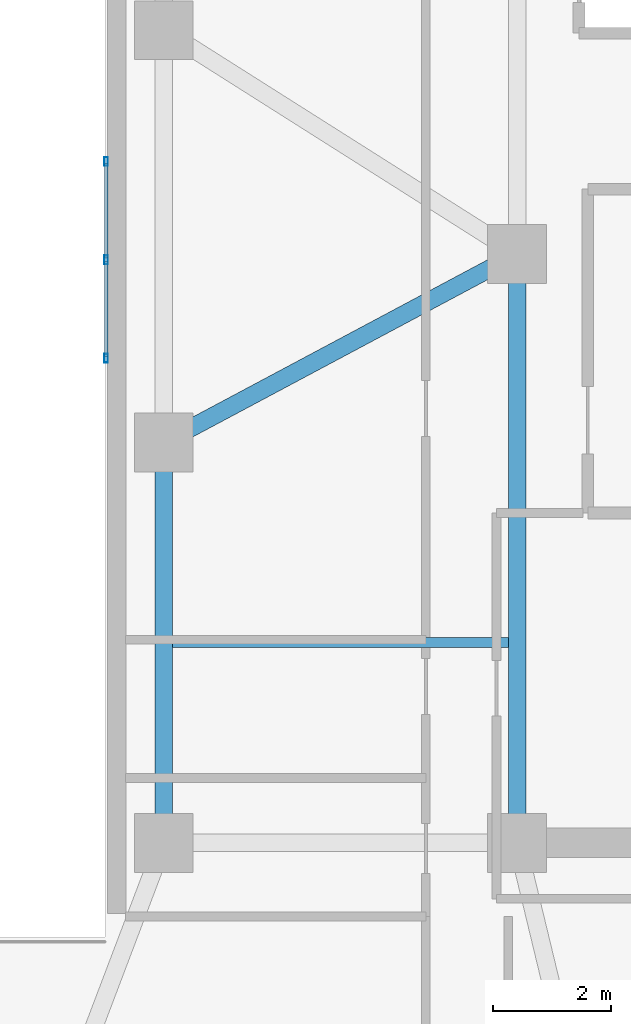
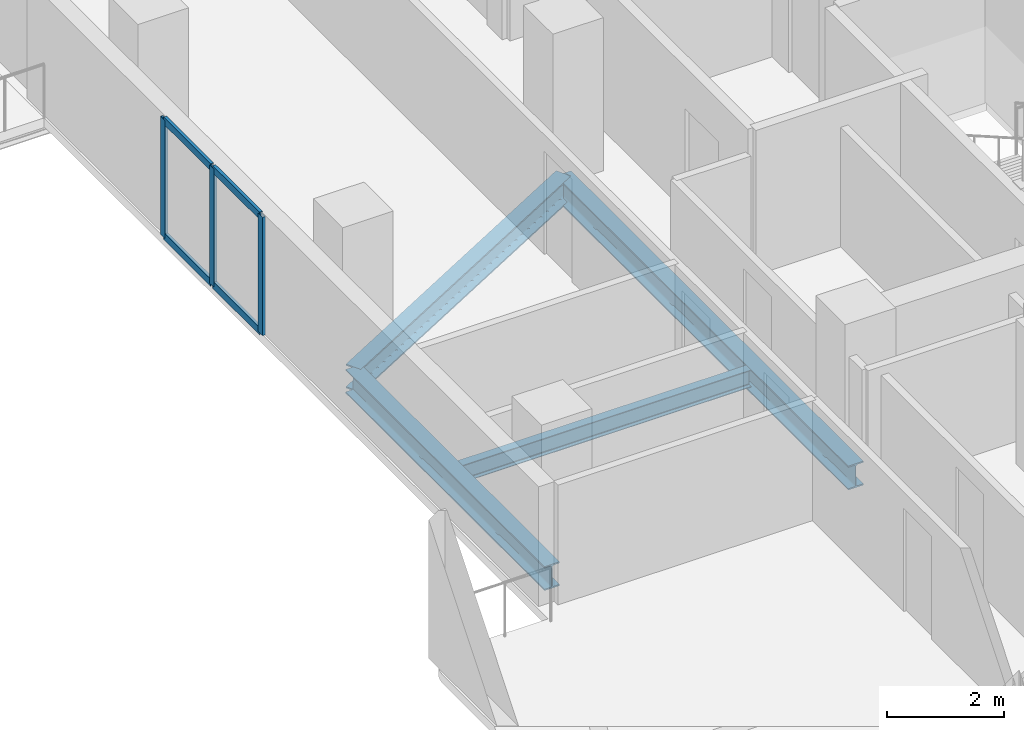
# One storey, part 8 of 17: 7 members, 4 beams, 1 element without a shape of its own.
"""IFC4 building model written with IfcOpenShell, lengths in metres."""

from ifc_helpers import new_model, si_unit, direction, frame, origin, origin_2d, place, context, subcontext, project, spatial, hollow_rectangle, i_section, extrude, material, material_profile, profile_set, type_object, element, aggregate, save


model = new_model("IFC4")

# Units and contexts
model_context = context("Model", 3, precision=1e-05, world=origin(), true_north=direction((0.0, 1.0)))
body_context = subcontext(model_context, "Body", "Model", "MODEL_VIEW")
ifc_project = project(units=[si_unit("LENGTHUNIT", "METRE"), si_unit("AREAUNIT", "SQUARE_METRE"), si_unit("VOLUMEUNIT", "CUBIC_METRE"), si_unit("PLANEANGLEUNIT", "RADIAN"), si_unit("MASSUNIT", "GRAM", prefix="KILO")], contexts=[model_context])

# Site, building, storey
site_placement = place(None, origin())
site = spatial("IfcSite", under=ifc_project, at=site_placement, CompositionType="ELEMENT")
building_placement = place(site_placement, origin())
building = spatial("IfcBuilding", under=site, at=building_placement, Name="Kuzgunbayir Cultural Tower", CompositionType="ELEMENT")
storey_placement = place(building_placement, frame((0.0, 0.0, 43.60009765625)))
storey = spatial("IfcBuildingStorey", under=building, at=storey_placement, Name="L11", CompositionType="ELEMENT", Elevation=43.60009765625)

# Beams
ifc_material_1 = material(Name="Steel S355J2", Category="steel")
ifc_material_profile_1 = material_profile(ifc_material_1, i_section(OverallWidth=0.300048828125, OverallDepth=0.5, WebThickness=0.014404296875, FlangeThickness=0.028076171875, FilletRadius=0.027099609375, at=origin_2d()), Name="HEB 500")
ifc_profile_set_1 = profile_set([ifc_material_profile_1], Name="Steel S355J2")
beam_type_1 = type_object("IfcBeamType", Name="BM-EXT-HEB500", PredefinedType="BEAM", material=ifc_profile_set_1)
beam_1_placement = place(storey_placement, frame((58.60009765625, 22.0, -0.43017578125), z_axis=(0.0, 1.0, 0.0), x_axis=(-1.0, 0.0, 0.0)))
element("IfcBeam", 1, at=beam_1_placement, inside=storey, type_object=beam_type_1, Name="L11 Companion West Girder", PredefinedType="BEAM", context=body_context, shape_type="SweptSolid", body=[
    extrude(i_section(OverallWidth=0.300048828125, OverallDepth=0.5, WebThickness=0.014404296875, FlangeThickness=0.028076171875, FilletRadius=0.027099609375, at=origin_2d()), origin(), (0.0, 0.0, 1.0), 6.800048828125),
])
ifc_material_profile_2 = material_profile(ifc_material_1, i_section(OverallWidth=0.300048828125, OverallDepth=0.5, WebThickness=0.014404296875, FlangeThickness=0.028076171875, FilletRadius=0.027099609375, at=origin_2d()), Name="HEB 500")
ifc_profile_set_2 = profile_set([ifc_material_profile_2], Name="Steel S355J2")
beam_type_2 = type_object("IfcBeamType", Name="BM-GIR-HEB500", PredefinedType="BEAM", material=ifc_profile_set_2)
beam_2_placement = place(storey_placement, frame((58.60009765625, 28.800048828125, -0.43017578125), z_axis=(0.882355922736, 0.470582644828, 0.0), x_axis=(-0.470582644828, 0.882355922736, 0.0)))
element("IfcBeam", 2, at=beam_2_placement, inside=storey, type_object=beam_type_2, Name="L11 Companion Transverse Girder 2", PredefinedType="BEAM", context=body_context, shape_type="SweptSolid", body=[
    extrude(i_section(OverallWidth=0.300048828125, OverallDepth=0.5, WebThickness=0.014404296875, FlangeThickness=0.028076171875, FilletRadius=0.027099609375, at=origin_2d()), origin(), (0.0, 0.0, 1.0), 6.800048828125),
])
beam_3_placement = place(storey_placement, frame((64.60009765625, 22.0, -0.43017578125), z_axis=(0.0, 1.0, 0.0), x_axis=(-1.0, 0.0, 0.0)))
element("IfcBeam", 3, at=beam_3_placement, inside=storey, type_object=beam_type_2, Name="L11 Companion Core West Girder 1", PredefinedType="BEAM", context=body_context, shape_type="SweptSolid", body=[
    extrude(i_section(OverallWidth=0.300048828125, OverallDepth=0.5, WebThickness=0.014404296875, FlangeThickness=0.028076171875, FilletRadius=0.027099609375, at=origin_2d()), origin(), (0.0, 0.0, 1.0), 10.0),
])
ifc_material_profile_3 = material_profile(ifc_material_1, i_section(OverallWidth=0.169921875, OverallDepth=0.360107421875, WebThickness=0.008056640625, FlangeThickness=0.0126953125, FilletRadius=0.01806640625, at=origin_2d()), Name="IPE 360")
ifc_profile_set_3 = profile_set([ifc_material_profile_3], Name="Steel S355J2")
beam_type_3 = type_object("IfcBeamType", Name="BM-JST-IPE360", PredefinedType="JOIST", material=ifc_profile_set_3)
beam_4_placement = place(storey_placement, frame((58.75, 25.39990234375, -0.360107421875), z_axis=(1.0, 0.0, 0.0), x_axis=(0.0, 1.0, 0.0)))
element("IfcBeam", 4, at=beam_4_placement, inside=storey, type_object=beam_type_3, Name="L11 Companion Joist", PredefinedType="JOIST", context=body_context, shape_type="SweptSolid", body=[
    extrude(i_section(OverallWidth=0.169921875, OverallDepth=0.360107421875, WebThickness=0.008056640625, FlangeThickness=0.0126953125, FilletRadius=0.01806640625, at=origin_2d()), origin(), (0.0, 0.0, 1.0), 5.699951171875),
])

# Curtain wall, members
ifc_material_2 = material(Name="Anodised Aluminium Framing", Category="aluminium")
curtain_wall_type = type_object("IfcCurtainWallType", Name="CW04-T2-CULTURAL", PredefinedType="NOTDEFINED", material=ifc_material_2)
curtain_wall_placement = place(storey_placement, origin())
curtain_wall = element("IfcCurtainWall", 5, at=curtain_wall_placement, inside=storey, type_object=curtain_wall_type, Name="L11 Companion Cultural Curtain Wall", PredefinedType="NOTDEFINED")
ifc_material_profile_4 = material_profile(ifc_material_2, hollow_rectangle(XDim=0.06005859375, YDim=0.14990234375, WallThickness=0.00390625, at=origin_2d()), Name="RHS 150x60x4")
ifc_profile_set_4 = profile_set([ifc_material_profile_4], Name="Anodised Aluminium Framing")
member_type_1 = type_object("IfcMemberType", Name="MEM-CW-MULLION-150", PredefinedType="MULLION", material=ifc_profile_set_4)
member_1_placement = place(storey_placement, frame((57.6201171875, 30.22998046875, 0.0), z_axis=(0.0, 0.0, 1.0), x_axis=(-1.0, 0.0, 0.0)))
member_1 = element("IfcMember", 6, at=member_1_placement, type_object=member_type_1, Name="CW04 mullion 1", PredefinedType="MULLION", context=body_context, shape_type="SweptSolid", body=[
    extrude(hollow_rectangle(XDim=0.06005859375, YDim=0.14990234375, WallThickness=0.00390625, at=origin_2d()), origin(), (0.0, 0.0, 1.0), 2.469970703125),
])
member_2_placement = place(storey_placement, frame((57.6201171875, 31.89990234375, 0.0), z_axis=(0.0, 0.0, 1.0), x_axis=(-1.0, 0.0, 0.0)))
member_2 = element("IfcMember", 7, at=member_2_placement, type_object=member_type_1, Name="CW04 mullion 2", PredefinedType="MULLION", context=body_context, shape_type="SweptSolid", body=[
    extrude(hollow_rectangle(XDim=0.06005859375, YDim=0.14990234375, WallThickness=0.00390625, at=origin_2d()), origin(), (0.0, 0.0, 1.0), 2.469970703125),
])
member_3_placement = place(storey_placement, frame((57.6201171875, 33.570068359375, 0.0), z_axis=(0.0, 0.0, 1.0), x_axis=(-1.0, 0.0, 0.0)))
member_3 = element("IfcMember", 8, at=member_3_placement, type_object=member_type_1, Name="CW04 mullion 3", PredefinedType="MULLION", context=body_context, shape_type="SweptSolid", body=[
    extrude(hollow_rectangle(XDim=0.06005859375, YDim=0.14990234375, WallThickness=0.00390625, at=origin_2d()), origin(), (0.0, 0.0, 1.0), 2.469970703125),
])
ifc_material_profile_5 = material_profile(ifc_material_2, hollow_rectangle(XDim=0.06005859375, YDim=0.14990234375, WallThickness=0.00390625, at=origin_2d()), Name="RHS 150x60x4")
ifc_profile_set_5 = profile_set([ifc_material_profile_5], Name="Anodised Aluminium Framing")
member_type_2 = type_object("IfcMemberType", Name="MEM-CW-TRANSOM-150", PredefinedType="USERDEFINED", material=ifc_profile_set_5)
member_4_placement = place(storey_placement, frame((57.6201171875, 30.260009765625, 0.02978515625), z_axis=(0.0, 1.0, 0.0), x_axis=(-1.0, 0.0, 0.0)))
member_4 = element("IfcMember", 9, at=member_4_placement, type_object=member_type_2, Name="CW04 transom 1.1", ObjectType="TRANSOM", PredefinedType="USERDEFINED", context=body_context, shape_type="SweptSolid", body=[
    extrude(hollow_rectangle(XDim=0.06005859375, YDim=0.14990234375, WallThickness=0.00390625, at=origin_2d()), origin(), (0.0, 0.0, 1.0), 1.610107421875),
])
member_5_placement = place(storey_placement, frame((57.6201171875, 30.260009765625, 2.43994140625), z_axis=(0.0, 1.0, 0.0), x_axis=(-1.0, 0.0, 0.0)))
member_5 = element("IfcMember", 10, at=member_5_placement, type_object=member_type_2, Name="CW04 transom 1.2", ObjectType="TRANSOM", PredefinedType="USERDEFINED", context=body_context, shape_type="SweptSolid", body=[
    extrude(hollow_rectangle(XDim=0.06005859375, YDim=0.14990234375, WallThickness=0.00390625, at=origin_2d()), origin(), (0.0, 0.0, 1.0), 1.610107421875),
])
member_6_placement = place(storey_placement, frame((57.6201171875, 31.929931640625, 0.02978515625), z_axis=(0.0, 1.0, 0.0), x_axis=(-1.0, 0.0, 0.0)))
member_6 = element("IfcMember", 11, at=member_6_placement, type_object=member_type_2, Name="CW04 transom 2.1", ObjectType="TRANSOM", PredefinedType="USERDEFINED", context=body_context, shape_type="SweptSolid", body=[
    extrude(hollow_rectangle(XDim=0.06005859375, YDim=0.14990234375, WallThickness=0.00390625, at=origin_2d()), origin(), (0.0, 0.0, 1.0), 1.610107421875),
])
member_7_placement = place(storey_placement, frame((57.6201171875, 31.929931640625, 2.43994140625), z_axis=(0.0, 1.0, 0.0), x_axis=(-1.0, 0.0, 0.0)))
member_7 = element("IfcMember", 12, at=member_7_placement, type_object=member_type_2, Name="CW04 transom 2.2", ObjectType="TRANSOM", PredefinedType="USERDEFINED", context=body_context, shape_type="SweptSolid", body=[
    extrude(hollow_rectangle(XDim=0.06005859375, YDim=0.14990234375, WallThickness=0.00390625, at=origin_2d()), origin(), (0.0, 0.0, 1.0), 1.610107421875),
])
aggregate(curtain_wall, [member_1, member_2, member_3, member_4, member_5, member_6, member_7])

save(model, "model.ifc")
